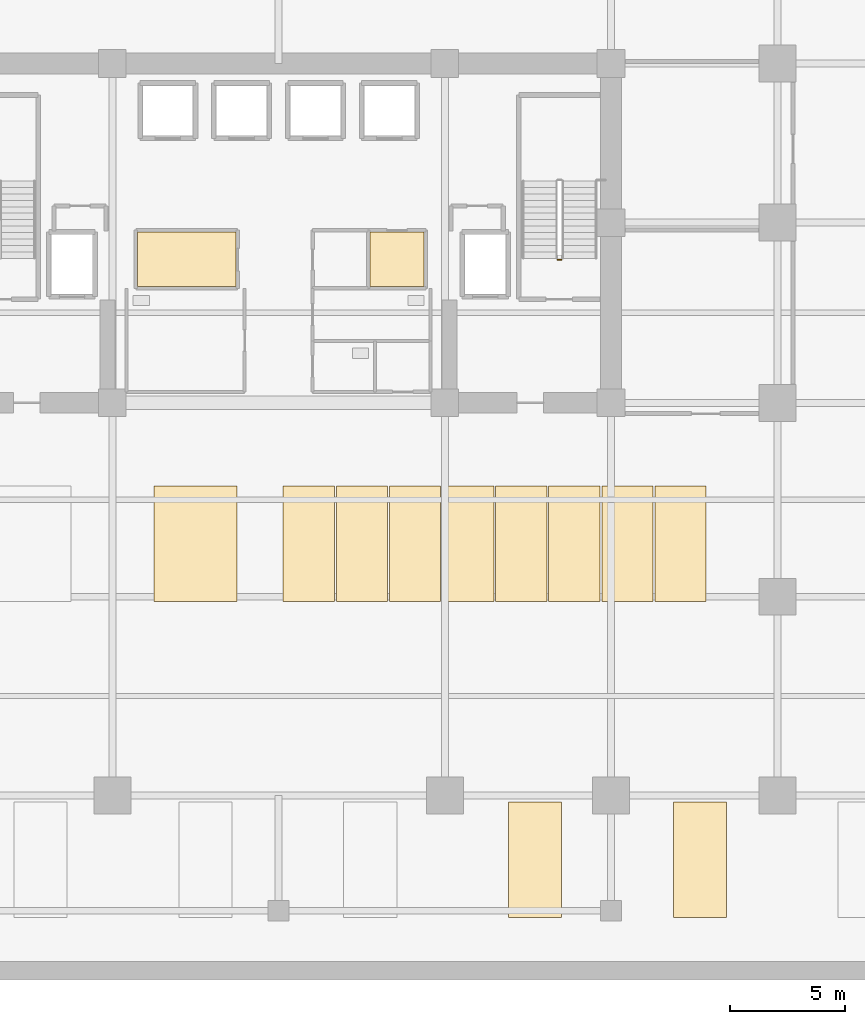
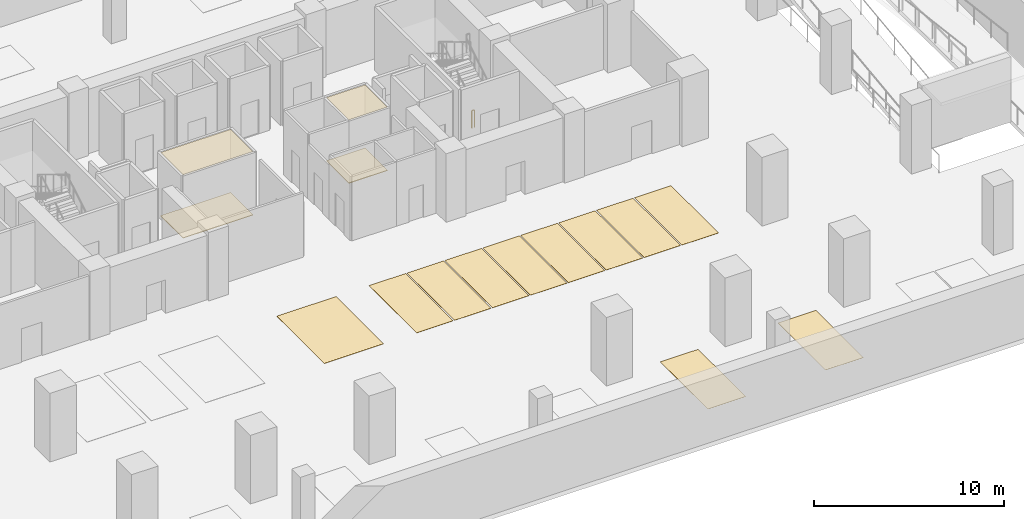
# One storey, part 9 of 13: 15 coverings, 1 railing.
"""IFC4 building model written with IfcOpenShell, lengths in metres."""

from ifc_helpers import new_model, si_unit, direction, frame, origin, origin_2d, place, context, subcontext, project, spatial, polyline, rectangle, outline, extrude, material, layer, layer_set, type_object, element, save


model = new_model("IFC4")

# Units and contexts
model_context = context("Model", 3, precision=1e-05, world=origin(), true_north=direction((0.0, 1.0)))
body_context = subcontext(model_context, "Body", "Model", "MODEL_VIEW")
ifc_project = project(units=[si_unit("LENGTHUNIT", "METRE"), si_unit("AREAUNIT", "SQUARE_METRE"), si_unit("VOLUMEUNIT", "CUBIC_METRE"), si_unit("PLANEANGLEUNIT", "RADIAN"), si_unit("MASSUNIT", "GRAM", prefix="KILO")], contexts=[model_context])

# Site, building, storey
site_placement = place(None, origin())
site = spatial("IfcSite", under=ifc_project, at=site_placement, CompositionType="ELEMENT")
building_placement = place(site_placement, origin())
building = spatial("IfcBuilding", under=site, at=building_placement, Name="Zarnakvel Exchange Tower", CompositionType="ELEMENT")
storey_placement = place(building_placement, frame((0.0, 0.0, -8.800048828125)))
storey = spatial("IfcBuildingStorey", under=building, at=storey_placement, Name="B02", CompositionType="ELEMENT", Elevation=-8.800048828125)

# Coverings
ifc_material_1 = material(Name="Perforated Bronze Acoustic Metal Ceiling", Category="aluminium")
ifc_layer_1 = layer(ifc_material_1, 0.02001953125)
ifc_layer_set_1 = layer_set([ifc_layer_1], Name="Perforated Bronze Acoustic Metal Ceiling")
covering_type_1 = type_object("IfcCoveringType", Name="CLG-01", PredefinedType="CEILING", material=ifc_layer_set_1)
covering_1_placement = place(storey_placement, frame((0.0, 0.0, 4.06005859375)))
element("IfcCovering", 1, at=covering_1_placement, inside=storey, type_object=covering_type_1, Name="B02 Suspended Acoustic Ceiling (Regulatory Archive Office)", PredefinedType="CEILING", context=body_context, shape_type="SweptSolid", body=[
    extrude(outline(polyline([(-6.10009765625, 6.199951171875), (-1.85009765625, 6.199951171875), (-1.85009765625, 3.840087890625), (-6.10009765625, 3.840087890625), (-6.10009765625, 6.199951171875)])), origin(), (0.0, 0.0, 1.0), 0.02001953125),
])
covering_2_placement = place(storey_placement, frame((0.0, 0.0, 4.06005859375)))
element("IfcCovering", 2, at=covering_2_placement, inside=storey, type_object=covering_type_1, Name="B02 Suspended Acoustic Ceiling (Data Copy Room)", PredefinedType="CEILING", context=body_context, shape_type="SweptSolid", body=[
    extrude(outline(polyline([(3.9599609375, 6.199951171875), (6.300048828125, 6.199951171875), (6.300048828125, 3.840087890625), (3.9599609375, 3.840087890625), (3.9599609375, 6.199951171875)])), origin(), (0.0, 0.0, 1.0), 0.02001953125),
])
ifc_material_2 = material(Name="Heavy-Duty Raised Access Floor Panel", Category="steel")
ifc_layer_2 = layer(ifc_material_2, 0.034912109375)
ifc_layer_set_2 = layer_set([ifc_layer_2], Name="Heavy-Duty Raised Access Floor Panel")
covering_type_2 = type_object("IfcCoveringType", Name="FLR-02", PredefinedType="FLOORING", material=ifc_layer_set_2)
covering_3_placement = place(storey_placement, origin())
element("IfcCovering", 3, at=covering_3_placement, inside=storey, type_object=covering_type_2, Name="B02 Floor Finish (Regulatory Archive Office)", PredefinedType="FLOORING", context=body_context, shape_type="SweptSolid", body=[
    extrude(outline(polyline([(-6.10009765625, 6.199951171875), (-1.85009765625, 6.199951171875), (-1.85009765625, 3.840087890625), (-6.10009765625, 3.840087890625), (-6.10009765625, 6.199951171875)])), origin(), (0.0, 0.0, 1.0), 0.03515625),
])
covering_4_placement = place(storey_placement, origin())
element("IfcCovering", 4, at=covering_4_placement, inside=storey, type_object=covering_type_2, Name="B02 Floor Finish (Data Copy Room)", PredefinedType="FLOORING", context=body_context, shape_type="SweptSolid", body=[
    extrude(outline(polyline([(3.9599609375, 6.199951171875), (6.300048828125, 6.199951171875), (6.300048828125, 3.840087890625), (3.9599609375, 3.840087890625), (3.9599609375, 6.199951171875)])), origin(), (0.0, 0.0, 1.0), 0.03515625),
])
ifc_material_3 = material(Name="Thermoplastic Acrylic Bay Marking", Category="finish")
ifc_layer_3 = layer(ifc_material_3, 0.010009765625)
ifc_layer_set_3 = layer_set([ifc_layer_3], Name="Thermoplastic Acrylic Bay Marking")
covering_type_3 = type_object("IfcCoveringType", Name="MK-01", PredefinedType="FLOORING", material=ifc_layer_set_3)
covering_5_placement = place(storey_placement, origin())
element("IfcCovering", 5, at=covering_5_placement, inside=storey, type_object=covering_type_3, Name="B02 Standard Parking Bay Marking B02-10", PredefinedType="FLOORING", context=body_context, shape_type="SweptSolid", body=[
    extrude(outline(polyline([(9.9599609375, -23.5), (12.260009765625, -23.5), (12.260009765625, -18.5), (9.9599609375, -18.5), (9.9599609375, -23.5)])), origin(), (0.0, 0.0, 1.0), 0.010009765625),
])
covering_6_placement = place(storey_placement, origin())
element("IfcCovering", 6, at=covering_6_placement, inside=storey, type_object=covering_type_3, Name="B02 Standard Parking Bay Marking B02-11", PredefinedType="FLOORING", context=body_context, shape_type="SweptSolid", body=[
    extrude(outline(polyline([(17.10009765625, -23.5), (19.39990234375, -23.5), (19.39990234375, -18.5), (17.10009765625, -18.5), (17.10009765625, -23.5)])), origin(), (0.0, 0.0, 1.0), 0.010009765625),
])
covering_7_placement = place(storey_placement, origin())
element("IfcCovering", 7, at=covering_7_placement, inside=storey, type_object=covering_type_3, Name="B02 Standard Parking Bay Marking B02-15", PredefinedType="FLOORING", context=body_context, shape_type="SweptSolid", body=[
    extrude(outline(polyline([(0.199951171875, -9.800048828125), (2.419921875, -9.800048828125), (2.419921875, -4.800048828125), (0.199951171875, -4.800048828125), (0.199951171875, -9.800048828125)])), origin(), (0.0, 0.0, 1.0), 0.010009765625),
])
covering_8_placement = place(storey_placement, origin())
element("IfcCovering", 8, at=covering_8_placement, inside=storey, type_object=covering_type_3, Name="B02 Standard Parking Bay Marking B02-16", PredefinedType="FLOORING", context=body_context, shape_type="SweptSolid", body=[
    extrude(outline(polyline([(2.5, -9.800048828125), (4.719970703125, -9.800048828125), (4.719970703125, -4.800048828125), (2.5, -4.800048828125), (2.5, -9.800048828125)])), origin(), (0.0, 0.0, 1.0), 0.010009765625),
])
covering_9_placement = place(storey_placement, origin())
element("IfcCovering", 9, at=covering_9_placement, inside=storey, type_object=covering_type_3, Name="B02 Standard Parking Bay Marking B02-17", PredefinedType="FLOORING", context=body_context, shape_type="SweptSolid", body=[
    extrude(outline(polyline([(4.800048828125, -9.800048828125), (7.02001953125, -9.800048828125), (7.02001953125, -4.800048828125), (4.800048828125, -4.800048828125), (4.800048828125, -9.800048828125)])), origin(), (0.0, 0.0, 1.0), 0.010009765625),
])
covering_10_placement = place(storey_placement, origin())
element("IfcCovering", 10, at=covering_10_placement, inside=storey, type_object=covering_type_3, Name="B02 Standard Parking Bay Marking B02-18", PredefinedType="FLOORING", context=body_context, shape_type="SweptSolid", body=[
    extrude(outline(polyline([(7.10009765625, -9.800048828125), (9.320068359375, -9.800048828125), (9.320068359375, -4.800048828125), (7.10009765625, -4.800048828125), (7.10009765625, -9.800048828125)])), origin(), (0.0, 0.0, 1.0), 0.010009765625),
])
covering_11_placement = place(storey_placement, origin())
element("IfcCovering", 11, at=covering_11_placement, inside=storey, type_object=covering_type_3, Name="B02 Standard Parking Bay Marking B02-19", PredefinedType="FLOORING", context=body_context, shape_type="SweptSolid", body=[
    extrude(outline(polyline([(9.39990234375, -9.800048828125), (11.6201171875, -9.800048828125), (11.6201171875, -4.800048828125), (9.39990234375, -4.800048828125), (9.39990234375, -9.800048828125)])), origin(), (0.0, 0.0, 1.0), 0.010009765625),
])
covering_12_placement = place(storey_placement, origin())
element("IfcCovering", 12, at=covering_12_placement, inside=storey, type_object=covering_type_3, Name="B02 Standard Parking Bay Marking B02-20", PredefinedType="FLOORING", context=body_context, shape_type="SweptSolid", body=[
    extrude(outline(polyline([(11.699951171875, -9.800048828125), (13.919921875, -9.800048828125), (13.919921875, -4.800048828125), (11.699951171875, -4.800048828125), (11.699951171875, -9.800048828125)])), origin(), (0.0, 0.0, 1.0), 0.010009765625),
])
covering_13_placement = place(storey_placement, origin())
element("IfcCovering", 13, at=covering_13_placement, inside=storey, type_object=covering_type_3, Name="B02 Standard Parking Bay Marking B02-21", PredefinedType="FLOORING", context=body_context, shape_type="SweptSolid", body=[
    extrude(outline(polyline([(14.0, -9.800048828125), (16.219970703125, -9.800048828125), (16.219970703125, -4.800048828125), (14.0, -4.800048828125), (14.0, -9.800048828125)])), origin(), (0.0, 0.0, 1.0), 0.010009765625),
])
covering_14_placement = place(storey_placement, origin())
element("IfcCovering", 14, at=covering_14_placement, inside=storey, type_object=covering_type_3, Name="B02 Standard Parking Bay Marking B02-22", PredefinedType="FLOORING", context=body_context, shape_type="SweptSolid", body=[
    extrude(outline(polyline([(16.300048828125, -9.800048828125), (18.52001953125, -9.800048828125), (18.52001953125, -4.800048828125), (16.300048828125, -4.800048828125), (16.300048828125, -9.800048828125)])), origin(), (0.0, 0.0, 1.0), 0.010009765625),
])
ifc_layer_4 = layer(ifc_material_3, 0.010009765625)
ifc_layer_set_4 = layer_set([ifc_layer_4], Name="Thermoplastic Acrylic Bay Marking")
covering_type_4 = type_object("IfcCoveringType", Name="MK-02", PredefinedType="FLOORING", material=ifc_layer_set_4)
covering_15_placement = place(storey_placement, origin())
element("IfcCovering", 15, at=covering_15_placement, inside=storey, type_object=covering_type_4, Name="B02 Accessible Parking Bay Marking OKU-06", PredefinedType="FLOORING", context=body_context, shape_type="SweptSolid", body=[
    extrude(outline(polyline([(-5.39990234375, -9.800048828125), (-1.800048828125, -9.800048828125), (-1.800048828125, -4.800048828125), (-5.39990234375, -4.800048828125), (-5.39990234375, -9.800048828125)])), origin(), (0.0, 0.0, 1.0), 0.010009765625),
])

# Railing
ifc_material_4 = material(Name="Architectural Bronze Anodised Aluminium", Category="aluminium")
railing_type = type_object("IfcRailingType", Name="SG-01", PredefinedType="GUARDRAIL", material=ifc_material_4)
railing_placement = place(storey_placement, frame((12.25, 5.0, 0.0)))
element("IfcRailing", 16, at=railing_placement, inside=storey, type_object=railing_type, Name="B02 ST-02 stair guard 4", PredefinedType="GUARDRAIL", context=body_context, shape_type="SweptSolid", body=[
    extrude(rectangle(XDim=0.048095703125, YDim=0.048095703125, at=origin_2d()), frame((0.0, 0.0, 1.1259765625), z_axis=(-1.0, 0.0, 0.0), x_axis=(0.0, -1.0, 0.0)), (0.0, 0.0, 1.0), 0.159912109375),
    extrude(rectangle(XDim=0.0419921875, YDim=0.0419921875, at=origin_2d()), origin(), (0.0, 0.0, 1.0), 1.101806640625),
    extrude(rectangle(XDim=0.0419921875, YDim=0.0419921875, at=origin_2d()), frame((-0.159912109375, 0.0, 0.0)), (0.0, 0.0, 1.0), 1.101806640625),
])

save(model, "model.ifc")
